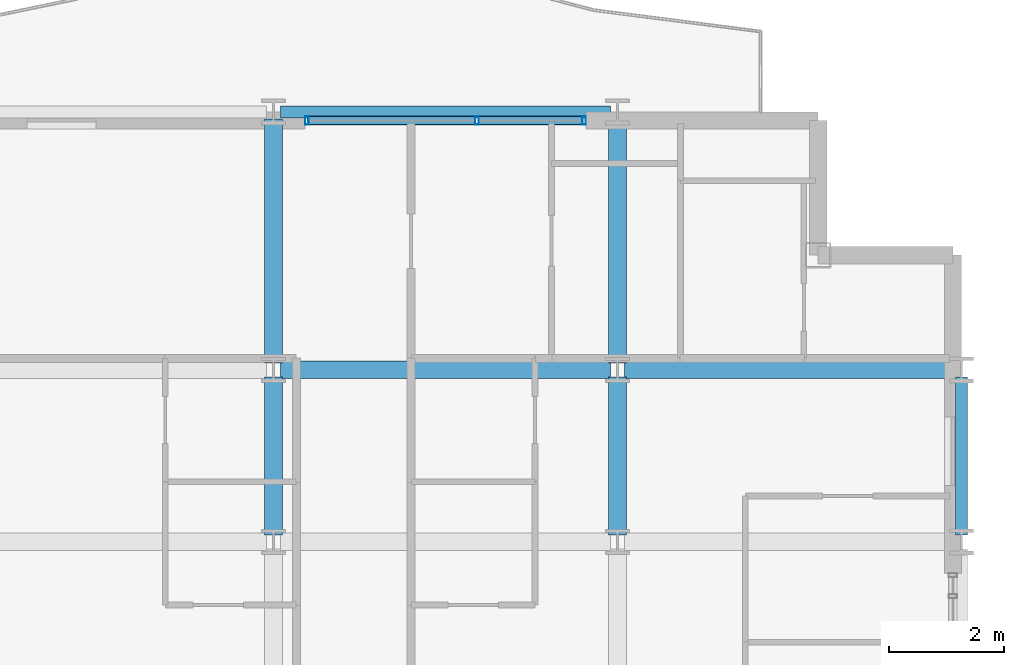
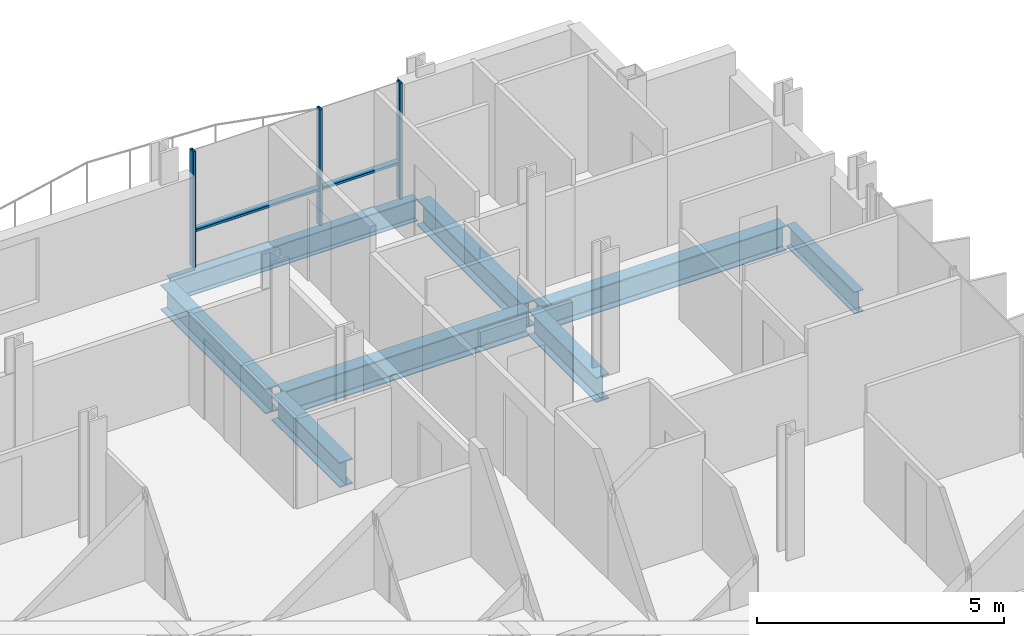
# One storey, part 20 of 39: 8 beams, 5 members, 1 element without a shape of its own.
"""IFC4 building model written with IfcOpenShell, lengths in metres."""

from ifc_helpers import new_model, si_unit, direction, frame, origin, origin_2d, place, context, subcontext, project, spatial, hollow_rectangle, i_section, extrude, material, layer, layer_set, material_profile, profile_set, type_object, element, aggregate, save


model = new_model("IFC4")

# Units and contexts
model_context = context("Model", 3, precision=1e-05, world=origin(), true_north=direction((0.0, 1.0)))
body_context = subcontext(model_context, "Body", "Model", "MODEL_VIEW")
ifc_project = project(units=[si_unit("LENGTHUNIT", "METRE"), si_unit("AREAUNIT", "SQUARE_METRE"), si_unit("VOLUMEUNIT", "CUBIC_METRE"), si_unit("PLANEANGLEUNIT", "RADIAN"), si_unit("MASSUNIT", "GRAM", prefix="KILO")], contexts=[model_context])

# Site, building, storey
site_placement = place(None, origin())
site = spatial("IfcSite", under=ifc_project, at=site_placement, CompositionType="ELEMENT")
building_placement = place(site_placement, origin())
building = spatial("IfcBuilding", under=site, at=building_placement, Name="Brevholm Reach", CompositionType="ELEMENT")
storey_placement = place(building_placement, frame((0.0, 0.0, 83.800048828125)))
storey = spatial("IfcBuildingStorey", under=building, at=storey_placement, Name="L24", CompositionType="ELEMENT", Elevation=83.800048828125)

# Beams
ifc_material_1 = material(Name="Structural Steel S355J2", Category="steel")
ifc_material_profile_1 = material_profile(ifc_material_1, i_section(OverallWidth=0.210693359375, OverallDepth=0.53955078125, WebThickness=0.01171875, FlangeThickness=0.018798828125, FilletRadius=0.0126953125, at=origin_2d()), Name="UKB 533x210x109")
ifc_profile_set_1 = profile_set([ifc_material_profile_1], Name="Structural Steel S355J2")
beam_type_1 = type_object("IfcBeamType", Name="BM-SP539", PredefinedType="SPANDREL", material=ifc_profile_set_1)
beam_1_placement = place(storey_placement, frame((48.1201171875, 31.0, -0.499755859375), z_axis=(1.0, 0.0, 0.0), x_axis=(0.0, 1.0, 0.0)))
element("IfcBeam", 1, at=beam_1_placement, inside=storey, type_object=beam_type_1, Name="L24 SP-01B Framing Beam", PredefinedType="SPANDREL", context=body_context, shape_type="SweptSolid", body=[
    extrude(i_section(OverallWidth=0.210693359375, OverallDepth=0.53955078125, WebThickness=0.01171875, FlangeThickness=0.018798828125, FilletRadius=0.0126953125, at=origin_2d()), origin(), (0.0, 0.0, 1.0), 5.759765625),
])
beam_2_placement = place(storey_placement, frame((60.0, 23.6201171875, -0.499755859375), z_axis=(0.0, 1.0, 0.0), x_axis=(-1.0, 0.0, 0.0)))
element("IfcBeam", 2, at=beam_2_placement, inside=storey, type_object=beam_type_1, Name="L24 SP-01B Framing Beam", PredefinedType="SPANDREL", context=body_context, shape_type="SweptSolid", body=[
    extrude(i_section(OverallWidth=0.210693359375, OverallDepth=0.53955078125, WebThickness=0.01171875, FlangeThickness=0.018798828125, FilletRadius=0.0126953125, at=origin_2d()), origin(), (0.0, 0.0, 1.0), 2.759765625),
])
ifc_material_2 = material(Name="Structural Steel S355J2", Category="steel")
ifc_material_profile_2 = material_profile(ifc_material_2, i_section(OverallWidth=0.30712890625, OverallDepth=0.6201171875, WebThickness=0.01416015625, FlangeThickness=0.023681640625, FilletRadius=0.0166015625, at=origin_2d()), Name="UKB 610x305x179")
ifc_profile_set_2 = profile_set([ifc_material_profile_2], Name="Structural Steel S355J2")
beam_type_2 = type_object("IfcBeamType", Name="BM-UKB610H", PredefinedType="USERDEFINED", material=ifc_profile_set_2)
for number, where, z_axis, x_axis, name in (
    (3, (48.1201171875, 26.5, -0.5400390625), (1.0, 0.0, 0.0), (0.0, 1.0, 0.0), "L24 G-06 Framing Beam"),
    (4, (54.1201171875, 26.5, -0.5400390625), (1.0, 0.0, 0.0), (0.0, 1.0, 0.0), "L24 G-06 Framing Beam"),
):
    element("IfcBeam", number, at=place(storey_placement, frame(where, z_axis=z_axis, x_axis=x_axis)), inside=storey, type_object=beam_type_2, Name=name, ObjectType="GIRDER", PredefinedType="USERDEFINED", context=body_context, shape_type="SweptSolid", body=[
        extrude(i_section(OverallWidth=0.30712890625, OverallDepth=0.6201171875, WebThickness=0.01416015625, FlangeThickness=0.023681640625, FilletRadius=0.0166015625, at=origin_2d()), origin(), (0.0, 0.0, 1.0), 5.759765625),
    ])
beam_3_placement = place(storey_placement, frame((48.0, 23.6201171875, -0.5400390625), z_axis=(0.0, 1.0, 0.0), x_axis=(-1.0, 0.0, 0.0)))
element("IfcBeam", 5, at=beam_3_placement, inside=storey, type_object=beam_type_2, Name="L24 G-06 Framing Beam", ObjectType="GIRDER", PredefinedType="USERDEFINED", context=body_context, shape_type="SweptSolid", body=[
    extrude(i_section(OverallWidth=0.30712890625, OverallDepth=0.6201171875, WebThickness=0.01416015625, FlangeThickness=0.023681640625, FilletRadius=0.0166015625, at=origin_2d()), origin(), (0.0, 0.0, 1.0), 2.759765625),
])
beam_4_placement = place(storey_placement, frame((48.0, 26.6201171875, -0.5400390625), z_axis=(0.0, 1.0, 0.0), x_axis=(-1.0, 0.0, 0.0)))
element("IfcBeam", 6, at=beam_4_placement, inside=storey, type_object=beam_type_2, Name="L24 G-06 Framing Beam", ObjectType="GIRDER", PredefinedType="USERDEFINED", context=body_context, shape_type="SweptSolid", body=[
    extrude(i_section(OverallWidth=0.30712890625, OverallDepth=0.6201171875, WebThickness=0.01416015625, FlangeThickness=0.023681640625, FilletRadius=0.0166015625, at=origin_2d()), origin(), (0.0, 0.0, 1.0), 4.259765625),
])
beam_5_placement = place(storey_placement, frame((54.0, 23.6201171875, -0.5400390625), z_axis=(0.0, 1.0, 0.0), x_axis=(-1.0, 0.0, 0.0)))
element("IfcBeam", 7, at=beam_5_placement, inside=storey, type_object=beam_type_2, Name="L24 G-06 Framing Beam", ObjectType="GIRDER", PredefinedType="USERDEFINED", context=body_context, shape_type="SweptSolid", body=[
    extrude(i_section(OverallWidth=0.30712890625, OverallDepth=0.6201171875, WebThickness=0.01416015625, FlangeThickness=0.023681640625, FilletRadius=0.0166015625, at=origin_2d()), origin(), (0.0, 0.0, 1.0), 2.759765625),
])
beam_6_placement = place(storey_placement, frame((54.0, 26.6201171875, -0.5400390625), z_axis=(0.0, 1.0, 0.0), x_axis=(-1.0, 0.0, 0.0)))
element("IfcBeam", 8, at=beam_6_placement, inside=storey, type_object=beam_type_2, Name="L24 G-06 Framing Beam", ObjectType="GIRDER", PredefinedType="USERDEFINED", context=body_context, shape_type="SweptSolid", body=[
    extrude(i_section(OverallWidth=0.30712890625, OverallDepth=0.6201171875, WebThickness=0.01416015625, FlangeThickness=0.023681640625, FilletRadius=0.0166015625, at=origin_2d()), origin(), (0.0, 0.0, 1.0), 4.259765625),
])

# Curtain wall, members
ifc_material_3 = material(Name="Dark Anodised Aluminium 6063-T6 and Solar-Control Glass", Category="aluminium")
ifc_layer = layer(ifc_material_3, 0.14990234375)
ifc_layer_set = layer_set([ifc_layer], Name="Dark Anodised Aluminium 6063-T6 and Solar-Control Glass")
curtain_wall_type = type_object("IfcCurtainWallType", Name="CW-01", PredefinedType="NOTDEFINED", material=ifc_layer_set)
curtain_wall_placement = place(storey_placement, origin())
curtain_wall = element("IfcCurtainWall", 9, at=curtain_wall_placement, inside=storey, type_object=curtain_wall_type, Name="L24 Curtain Wall CW-01", PredefinedType="NOTDEFINED")
ifc_material_4 = material(Name="Dark Anodised Aluminium 6063-T6", Category="aluminium")
ifc_material_profile_3 = material_profile(ifc_material_4, hollow_rectangle(XDim=0.06494140625, YDim=0.14990234375, WallThickness=0.0048828125, InnerFilletRadius=0.0048828125, OuterFilletRadius=0.010009765625, at=origin_2d()), Name="RHS 150x65x5")
ifc_profile_set_3 = profile_set([ifc_material_profile_3], Name="Dark Anodised Aluminium 6063-T6")
member_type_1 = type_object("IfcMemberType", Name="CWM-150", PredefinedType="MULLION", material=ifc_profile_set_3)
member_1_placement = place(storey_placement, frame((48.58251953125, 30.85009765625, 0.0), z_axis=(0.0, 0.0, 1.0), x_axis=(1.0, 0.0, 0.0)))
member_1 = element("IfcMember", 10, at=member_1_placement, type_object=member_type_1, Name="CM-150 Mullion 1", PredefinedType="MULLION", context=body_context, shape_type="SweptSolid", body=[
    extrude(hollow_rectangle(XDim=0.06494140625, YDim=0.14990234375, WallThickness=0.0048828125, InnerFilletRadius=0.0048828125, OuterFilletRadius=0.010009765625, at=origin_2d()), origin(), (0.0, 0.0, 1.0), 2.869873046875),
])
member_2_placement = place(storey_placement, frame((51.550048828125, 30.85009765625, 0.0), z_axis=(0.0, 0.0, 1.0), x_axis=(1.0, 0.0, 0.0)))
member_2 = element("IfcMember", 11, at=member_2_placement, type_object=member_type_1, Name="CM-150 Mullion 2", PredefinedType="MULLION", context=body_context, shape_type="SweptSolid", body=[
    extrude(hollow_rectangle(XDim=0.06494140625, YDim=0.14990234375, WallThickness=0.0048828125, InnerFilletRadius=0.0048828125, OuterFilletRadius=0.010009765625, at=origin_2d()), origin(), (0.0, 0.0, 1.0), 2.869873046875),
])
member_3_placement = place(storey_placement, frame((53.41748046875, 30.85009765625, 0.0), z_axis=(0.0, 0.0, 1.0), x_axis=(1.0, 0.0, 0.0)))
member_3 = element("IfcMember", 12, at=member_3_placement, type_object=member_type_1, Name="CM-150 Mullion 3", PredefinedType="MULLION", context=body_context, shape_type="SweptSolid", body=[
    extrude(hollow_rectangle(XDim=0.06494140625, YDim=0.14990234375, WallThickness=0.0048828125, InnerFilletRadius=0.0048828125, OuterFilletRadius=0.010009765625, at=origin_2d()), origin(), (0.0, 0.0, 1.0), 2.869873046875),
])
ifc_material_5 = material(Name="Dark Anodised Aluminium 6063-T6", Category="aluminium")
ifc_material_profile_4 = material_profile(ifc_material_5, hollow_rectangle(XDim=0.06494140625, YDim=0.14990234375, WallThickness=0.0048828125, InnerFilletRadius=0.0048828125, OuterFilletRadius=0.010009765625, at=origin_2d()), Name="RHS 150x65x5")
ifc_profile_set_4 = profile_set([ifc_material_profile_4], Name="Dark Anodised Aluminium 6063-T6")
member_type_2 = type_object("IfcMemberType", Name="CWT-150", PredefinedType="NOTDEFINED", material=ifc_profile_set_4)
member_4_placement = place(storey_placement, frame((48.614990234375, 30.85009765625, 0.89990234375), z_axis=(1.0, 0.0, 0.0), x_axis=(0.0, 0.0, 1.0)))
member_4 = element("IfcMember", 13, at=member_4_placement, type_object=member_type_2, Name="CT-150 Transom 1.1", ObjectType="TRANSOM", PredefinedType="USERDEFINED", context=body_context, shape_type="SweptSolid", body=[
    extrude(hollow_rectangle(XDim=0.06494140625, YDim=0.14990234375, WallThickness=0.0048828125, InnerFilletRadius=0.0048828125, OuterFilletRadius=0.010009765625, at=origin_2d()), origin(), (0.0, 0.0, 1.0), 2.902587890625),
])
member_5_placement = place(storey_placement, frame((51.58251953125, 30.85009765625, 0.89990234375), z_axis=(1.0, 0.0, 0.0), x_axis=(0.0, 0.0, 1.0)))
member_5 = element("IfcMember", 14, at=member_5_placement, type_object=member_type_2, Name="CT-150 Transom 2.1", ObjectType="TRANSOM", PredefinedType="USERDEFINED", context=body_context, shape_type="SweptSolid", body=[
    extrude(hollow_rectangle(XDim=0.06494140625, YDim=0.14990234375, WallThickness=0.0048828125, InnerFilletRadius=0.0048828125, OuterFilletRadius=0.010009765625, at=origin_2d()), origin(), (0.0, 0.0, 1.0), 1.802490234375),
])
aggregate(curtain_wall, [member_1, member_2, member_3, member_4, member_5])

save(model, "model.ifc")
